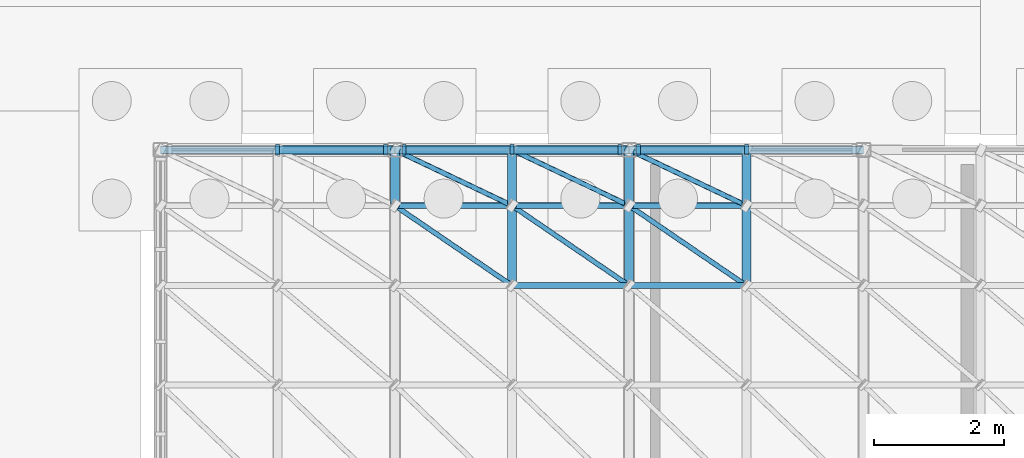
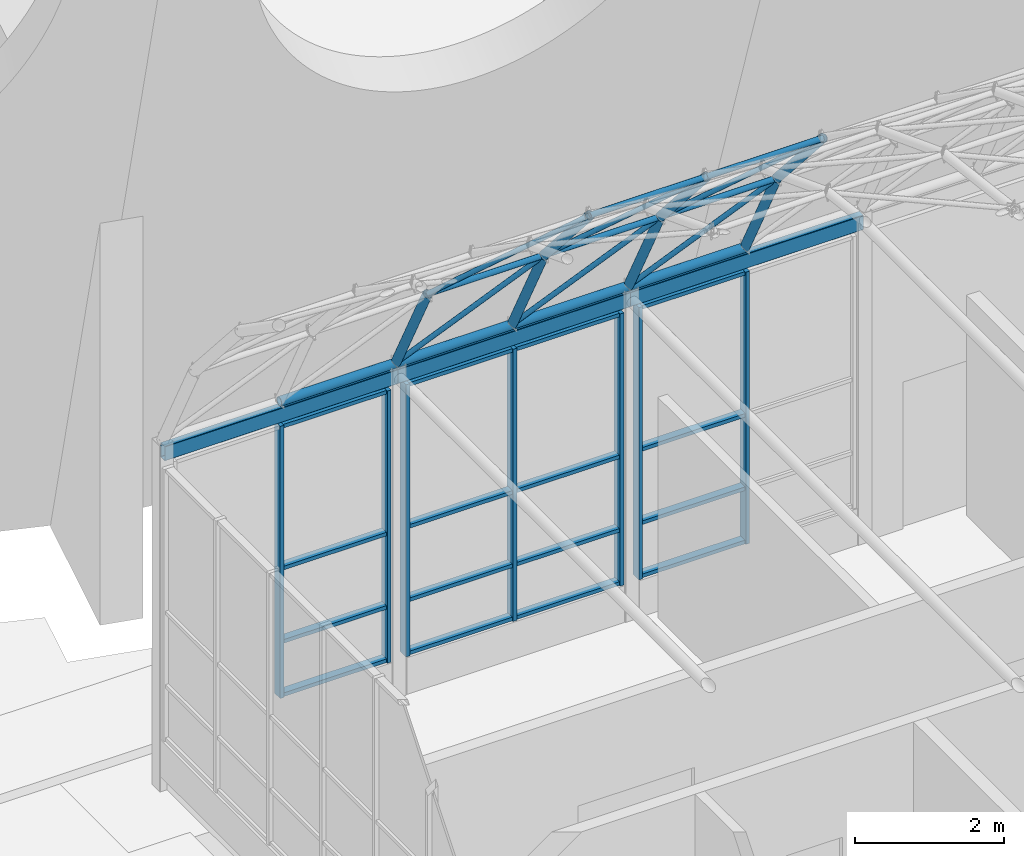
# One storey, part 27 of 116: 45 members, 3 beams, 3 elements without a shape of their own.
"""IFC4 building model written with IfcOpenShell, lengths in metres."""

import ifcopenshell
import ifcopenshell.guid

model = None  # the IFC model being written
_history = None  # IfcOwnerHistory: only IFC2X3 demands one
_inside = {}  # id of a spatial element -> (the spatial element, [elements in it])
_under = {}  # id of a project, library or spatial element -> (it, [spatial elements below it])
_declared = {}  # id of a project -> (the project, [libraries it declares])
_typed = {}  # id of a type object -> (the type object, [elements of that type])
_made_of = {}  # id of a material, layer set ... -> (it, [elements and type objects made of it])


def new_model(schema):
    """Start an empty IFC model of exactly this schema.

    Asked for "IFC4X3", IfcOpenShell would pick the latest addendum, in which some entities
    have other attributes; the version numbers below select the first issue.
    IFC2X3 requires an IfcOwnerHistory on every rooted entity: one is made here for all.
    """
    global model, _history
    if schema == "IFC4X3":
        model = ifcopenshell.file(schema_version=(4, 3, 0, 0))
    else:
        model = ifcopenshell.file(schema=schema)
    _inside.clear()
    _under.clear()
    _declared.clear()
    _typed.clear()
    _made_of.clear()
    _history = None
    if model.schema == "IFC2X3":
        org = make("IfcOrganization", Name="unknown")
        user = make(
            "IfcPersonAndOrganization",
            ThePerson=make("IfcPerson", FamilyName="unknown"),
            TheOrganization=org,
        )
        app = make(
            "IfcApplication",
            ApplicationDeveloper=org,
            Version="unknown",
            ApplicationFullName="unknown",
            ApplicationIdentifier="unknown",
        )
        _history = make(
            "IfcOwnerHistory",
            OwningUser=user,
            OwningApplication=app,
            ChangeAction="ADDED",
            CreationDate=0,
        )
    return model


def make(cls, **values):
    """One entity of the class cls with the attributes given. An attribute that is None is left unset."""
    return model.create_entity(
        cls, **{name: value for name, value in values.items() if value is not None}
    )


def rooted(cls, **values):
    """An entity with a GlobalId (a new one), such as an element, a storey or a relation."""
    return make(cls, GlobalId=ifcopenshell.guid.new(), OwnerHistory=_history, **values)


def si_unit(unit_type, name, prefix=None):
    """IfcSIUnit, for example si_unit("LENGTHUNIT", "METRE", prefix="MILLI")."""
    return make("IfcSIUnit", UnitType=unit_type, Prefix=prefix, Name=name)


def assignment(units):
    """IfcUnitAssignment: the units of a project."""
    return None if units is None else make("IfcUnitAssignment", Units=units)


def point(xyz):
    """IfcCartesianPoint."""
    return None if xyz is None else make("IfcCartesianPoint", Coordinates=xyz)


def direction(xyz):
    """IfcDirection."""
    return None if xyz is None else make("IfcDirection", DirectionRatios=xyz)


def frame(location, z_axis=None, x_axis=None):
    """IfcAxis2Placement3D, a coordinate frame: its origin and axes. An axis left out is left unset."""
    return make(
        "IfcAxis2Placement3D",
        Location=point(location),
        Axis=direction(z_axis),
        RefDirection=direction(x_axis),
    )


def frame_2d(location, x_axis=None):
    """IfcAxis2Placement2D, a coordinate frame in the plane: its origin and x axis."""
    return make(
        "IfcAxis2Placement2D", Location=point(location), RefDirection=direction(x_axis)
    )


def origin():
    """The frame at (0, 0, 0) with its axes left unset."""
    return frame((0.0, 0.0, 0.0))


def origin_2d():
    """The frame at (0, 0) in the plane with its x axis left unset."""
    return frame_2d((0.0, 0.0))


def place(relative_to, where):
    """IfcLocalPlacement: puts the frame where relative to a parent placement (None: the world)."""
    return make(
        "IfcLocalPlacement", PlacementRelTo=relative_to, RelativePlacement=where
    )


def context(
    kind, dimensions, precision=None, world=None, true_north=None, identifier=None
):
    """IfcGeometricRepresentationContext, for example the 3D "Model" context."""
    return make(
        "IfcGeometricRepresentationContext",
        ContextIdentifier=identifier,
        ContextType=kind,
        CoordinateSpaceDimension=dimensions,
        Precision=precision,
        WorldCoordinateSystem=world,
        TrueNorth=true_north,
    )


def subcontext(parent, identifier, kind, view, scale=None):
    """IfcGeometricRepresentationSubContext, for example "Body" below "Model"."""
    return make(
        "IfcGeometricRepresentationSubContext",
        ContextIdentifier=identifier,
        ContextType=kind,
        ParentContext=parent,
        TargetScale=scale,
        TargetView=view,
    )


def project(units=None, contexts=None):
    """IfcProject with its units and contexts."""
    return rooted(
        "IfcProject",
        Name="project",
        RepresentationContexts=contexts,
        UnitsInContext=assignment(units),
    )


def spatial(cls, under=None, at=None, **own):
    """A site, building, storey or space (cls), placed at a placement, below another one or the project."""
    s = rooted(cls, ObjectPlacement=at, **own)
    if under is not None:
        _under.setdefault(under.id(), (under, []))[1].append(s)
    return s


def profile(cls, at=None, kind="AREA", **sizes):
    """A parametric profile (cls). Its sizes go by their IFC names, for example OverallWidth=200.0."""
    return make(cls, ProfileType=kind, Position=at, **sizes)


def rectangle(**sizes):
    """IfcRectangleProfileDef."""
    return profile("IfcRectangleProfileDef", **sizes)


def hollow_rectangle(**sizes):
    """IfcRectangleHollowProfileDef."""
    return profile("IfcRectangleHollowProfileDef", **sizes)


def hollow_circle(**sizes):
    """IfcCircleHollowProfileDef."""
    return profile("IfcCircleHollowProfileDef", **sizes)


def extrude(swept, where, along, depth):
    """IfcExtrudedAreaSolid: the profile swept, set in the frame where, extruded along a direction by depth."""
    return make(
        "IfcExtrudedAreaSolid",
        SweptArea=swept,
        Position=where,
        ExtrudedDirection=direction(along),
        Depth=depth,
    )


def shape(context_of_items, identifier, shape_type, items):
    """IfcShapeRepresentation: the items that make up one representation, for example the "Body"."""
    return make(
        "IfcShapeRepresentation",
        ContextOfItems=context_of_items,
        RepresentationIdentifier=identifier,
        RepresentationType=shape_type,
        Items=items,
    )


def material(Name=None, Category=None):
    """IfcMaterial."""
    return make("IfcMaterial", Name=Name, Category=Category)


def layer(
    of_material, thickness, ventilated=None, Name=None, Category=None, Priority=None
):
    """IfcMaterialLayer: one layer of a wall or slab, of a material (None: an air gap)."""
    return make(
        "IfcMaterialLayer",
        Material=of_material,
        LayerThickness=thickness,
        IsVentilated=ventilated,
        Name=Name,
        Category=Category,
        Priority=Priority,
    )


def layer_set(layers, Name=None):
    """IfcMaterialLayerSet."""
    return make("IfcMaterialLayerSet", MaterialLayers=layers, LayerSetName=Name)


def material_profile(
    of_material, cross_section, Name=None, Category=None, Priority=None
):
    """IfcMaterialProfile: a cross section and its material."""
    return make(
        "IfcMaterialProfile",
        Name=Name,
        Material=of_material,
        Profile=cross_section,
        Priority=Priority,
        Category=Category,
    )


def profile_set(profiles, Name=None, composite=None):
    """IfcMaterialProfileSet."""
    return make(
        "IfcMaterialProfileSet",
        Name=Name,
        MaterialProfiles=profiles,
        CompositeProfile=composite,
    )


def made_of(thing, what):
    """Note that an element or type object is made of a material, layer set ...; save() writes the relation."""
    if what is not None:
        _made_of.setdefault(what.id(), (what, []))[1].append(thing)
    return thing


def type_object(cls, material=None, **own):
    """A type object (cls), such as IfcWallType, which elements share."""
    return made_of(rooted(cls, **own), material)


def element(
    cls,
    number,
    at=None,
    inside=None,
    cuts=None,
    type_object=None,
    material=None,
    context=None,
    identifier="Body",
    shape_type=None,
    held_by="IfcProductDefinitionShape",
    body=None,
    shapes=None,
    **own,
):
    """One element of the class cls, such as IfcWall. Its Tag is "e" and its number.

    at: its placement. inside: the storey or other place that contains it. cuts: it is an
    opening in that element (IfcRelVoidsElement). A single representation is given by context,
    identifier, shape_type and body (its items); several are given by shapes. held_by: the class
    of the entity that holds the representations. save() writes the other relations.
    """
    e = rooted(cls, Tag="e%d" % number, ObjectPlacement=at, **own)
    if body is not None:
        shapes = [shape(context, identifier, shape_type, body)]
    if shapes is not None:
        e.Representation = make(held_by, Representations=shapes)
    if inside is not None:
        _inside.setdefault(inside.id(), (inside, []))[1].append(e)
    if cuts is not None:
        rooted(
            "IfcRelVoidsElement", RelatingBuildingElement=cuts, RelatedOpeningElement=e
        )
    if type_object is not None:
        _typed.setdefault(type_object.id(), (type_object, []))[1].append(e)
    return made_of(e, material)


def aggregate(whole, parts):
    """IfcRelAggregates: a whole, such as a stair, and the parts it consists of."""
    return rooted("IfcRelAggregates", RelatingObject=whole, RelatedObjects=parts)


def save(model, path):
    """Write the relations noted so far, then the file.

    IfcRelAggregates (storeys below a building ...), IfcRelContainedInSpatialStructure (elements
    in a storey), IfcRelDefinesByType, IfcRelAssociatesMaterial and IfcRelDeclares: one each for
    every whole, place, type object, material and project.
    """
    for whole, parts in _under.values():
        aggregate(whole, parts)
    for where, things in _inside.values():
        rooted(
            "IfcRelContainedInSpatialStructure",
            RelatedElements=things,
            RelatingStructure=where,
        )
    for kind, things in _typed.values():
        rooted("IfcRelDefinesByType", RelatedObjects=things, RelatingType=kind)
    for what, things in _made_of.values():
        rooted("IfcRelAssociatesMaterial", RelatedObjects=things, RelatingMaterial=what)
    for by, libraries in _declared.values():
        rooted("IfcRelDeclares", RelatingContext=by, RelatedDefinitions=libraries)
    model.write(path)


model = new_model("IFC4")

# Units and contexts
model_context = context("Model", 3, precision=1e-05, world=origin(), true_north=direction((0.0, 1.0)))
body_context = subcontext(model_context, "Body", "Model", "MODEL_VIEW")
ifc_project = project(units=[si_unit("LENGTHUNIT", "METRE"), si_unit("AREAUNIT", "SQUARE_METRE"), si_unit("VOLUMEUNIT", "CUBIC_METRE"), si_unit("PLANEANGLEUNIT", "RADIAN"), si_unit("MASSUNIT", "GRAM", prefix="KILO")], contexts=[model_context])

# Site, building, storey
site_placement = place(None, origin())
site = spatial("IfcSite", under=ifc_project, at=site_placement, CompositionType="ELEMENT")
building_placement = place(site_placement, origin())
building = spatial("IfcBuilding", under=site, at=building_placement, Name="Ardhachandra Cancer Care Centre", CompositionType="ELEMENT")
storey_placement = place(building_placement, origin())
storey = spatial("IfcBuildingStorey", under=building, at=storey_placement, Name="L00", CompositionType="ELEMENT", Elevation=0.0)

# Beams
ifc_material_1 = material(Name="Steel E350 (IS 2062)", Category="steel")
ifc_material_profile_1 = material_profile(ifc_material_1, hollow_rectangle(XDim=0.1201171875, YDim=0.239990234375, WallThickness=0.006103515625, InnerFilletRadius=0.006103515625, OuterFilletRadius=0.011962890625, at=origin_2d()), Name="RHS 240x120x6.0")
ifc_profile_set_1 = profile_set([ifc_material_profile_1], Name="Steel E350 (IS 2062)")
beam_type = type_object("IfcBeamType", Name="Beam RHS 240x120x6.0", PredefinedType="BEAM", material=ifc_profile_set_1)
beam_1_placement = place(storey_placement, frame((63.60009765625, 21.60009765625, 5.210205078125), z_axis=(1.0, 0.0, 0.0), x_axis=(0.0, 1.0, 0.0)))
element("IfcBeam", 1, at=beam_1_placement, inside=storey, type_object=beam_type, Name="Pavilion edge beam N1-2", PredefinedType="BEAM", context=body_context, shape_type="SweptSolid", body=[
    extrude(hollow_rectangle(XDim=0.1201171875, YDim=0.239990234375, WallThickness=0.006103515625, InnerFilletRadius=0.006103515625, OuterFilletRadius=0.011962890625, at=origin_2d()), origin(), (0.0, 0.0, 1.0), 3.599853515625),
])
beam_2_placement = place(storey_placement, frame((67.199951171875, 21.60009765625, 5.210205078125), z_axis=(1.0, 0.0, 0.0), x_axis=(0.0, 1.0, 0.0)))
element("IfcBeam", 2, at=beam_2_placement, inside=storey, type_object=beam_type, Name="Pavilion edge beam N2-3", PredefinedType="BEAM", context=body_context, shape_type="SweptSolid", body=[
    extrude(hollow_rectangle(XDim=0.1201171875, YDim=0.239990234375, WallThickness=0.006103515625, InnerFilletRadius=0.006103515625, OuterFilletRadius=0.011962890625, at=origin_2d()), origin(), (0.0, 0.0, 1.0), 3.60009765625),
])
beam_3_placement = place(storey_placement, frame((70.800048828125, 21.60009765625, 5.210205078125), z_axis=(1.0, 0.0, 0.0), x_axis=(0.0, 1.0, 0.0)))
element("IfcBeam", 3, at=beam_3_placement, inside=storey, type_object=beam_type, Name="Pavilion edge beam N3-4", PredefinedType="BEAM", context=body_context, shape_type="SweptSolid", body=[
    extrude(hollow_rectangle(XDim=0.1201171875, YDim=0.239990234375, WallThickness=0.006103515625, InnerFilletRadius=0.006103515625, OuterFilletRadius=0.011962890625, at=origin_2d()), origin(), (0.0, 0.0, 1.0), 3.599853515625),
])

# Curtain wall, members
ifc_material_2 = material(Name="Aluminium extrusion", Category="aluminium")
ifc_layer = layer(ifc_material_2, 0.14990234375)
ifc_layer_set = layer_set([ifc_layer], Name="Aluminium extrusion")
curtain_wall_type = type_object("IfcCurtainWallType", Name="Curtain wall run", PredefinedType="NOTDEFINED", material=ifc_layer_set)
curtain_wall_1_placement = place(storey_placement, origin())
curtain_wall_1 = element("IfcCurtainWall", 4, at=curtain_wall_1_placement, inside=storey, type_object=curtain_wall_type, Name="Curtain wall L00 n/0063600_0021600", PredefinedType="NOTDEFINED")
ifc_material_3 = material(Name="Aluminium extrusion", Category="aluminium")
ifc_material_profile_2 = material_profile(ifc_material_3, rectangle(XDim=0.159912109375, YDim=0.06005859375, at=origin_2d()), Name="Curtain wall mullion 60 x 160")
ifc_profile_set_2 = profile_set([ifc_material_profile_2], Name="Aluminium extrusion")
member_type_1 = type_object("IfcMemberType", Name="Curtain wall mullion 60 x 160", PredefinedType="MULLION", material=ifc_profile_set_2)
member_1_placement = place(storey_placement, frame((65.39990234375, 21.60009765625, 0.60009765625), z_axis=(0.0, 0.0, 1.0), x_axis=(0.0, 1.0, 0.0)))
member_1 = element("IfcMember", 5, at=member_1_placement, type_object=member_type_1, Name="CW mullion 2", PredefinedType="MULLION", context=body_context, shape_type="SweptSolid", body=[
    extrude(rectangle(XDim=0.159912109375, YDim=0.06005859375, at=origin_2d()), origin(), (0.0, 0.0, 1.0), 4.449951171875),
])
member_2_placement = place(storey_placement, frame((67.054931640625, 21.60009765625, 0.60009765625), z_axis=(0.0, 0.0, 1.0), x_axis=(0.0, 1.0, 0.0)))
member_2 = element("IfcMember", 6, at=member_2_placement, type_object=member_type_1, Name="CW mullion 3", PredefinedType="MULLION", context=body_context, shape_type="SweptSolid", body=[
    extrude(rectangle(XDim=0.159912109375, YDim=0.06005859375, at=origin_2d()), origin(), (0.0, 0.0, 1.0), 4.449951171875),
])

curtain_wall_2_placement = place(storey_placement, origin())
curtain_wall_2 = element("IfcCurtainWall", 7, at=curtain_wall_2_placement, inside=storey, type_object=curtain_wall_type, Name="Curtain wall L00 n/0067200_0021600", PredefinedType="NOTDEFINED")
member_3_placement = place(storey_placement, frame((67.344970703125, 21.60009765625, 0.60009765625), z_axis=(0.0, 0.0, 1.0), x_axis=(0.0, 1.0, 0.0)))
member_3 = element("IfcMember", 8, at=member_3_placement, type_object=member_type_1, Name="CW mullion 1", PredefinedType="MULLION", context=body_context, shape_type="SweptSolid", body=[
    extrude(rectangle(XDim=0.159912109375, YDim=0.06005859375, at=origin_2d()), origin(), (0.0, 0.0, 1.0), 4.449951171875),
])
member_4_placement = place(storey_placement, frame((69.0, 21.60009765625, 0.60009765625), z_axis=(0.0, 0.0, 1.0), x_axis=(0.0, 1.0, 0.0)))
member_4 = element("IfcMember", 9, at=member_4_placement, type_object=member_type_1, Name="CW mullion 2", PredefinedType="MULLION", context=body_context, shape_type="SweptSolid", body=[
    extrude(rectangle(XDim=0.159912109375, YDim=0.06005859375, at=origin_2d()), origin(), (0.0, 0.0, 1.0), 4.449951171875),
])
member_5_placement = place(storey_placement, frame((70.655029296875, 21.60009765625, 0.60009765625), z_axis=(0.0, 0.0, 1.0), x_axis=(0.0, 1.0, 0.0)))
member_5 = element("IfcMember", 10, at=member_5_placement, type_object=member_type_1, Name="CW mullion 3", PredefinedType="MULLION", context=body_context, shape_type="SweptSolid", body=[
    extrude(rectangle(XDim=0.159912109375, YDim=0.06005859375, at=origin_2d()), origin(), (0.0, 0.0, 1.0), 4.449951171875),
])

curtain_wall_3_placement = place(storey_placement, origin())
curtain_wall_3 = element("IfcCurtainWall", 11, at=curtain_wall_3_placement, inside=storey, type_object=curtain_wall_type, Name="Curtain wall L00 n/0070800_0021600", PredefinedType="NOTDEFINED")
member_6_placement = place(storey_placement, frame((70.945068359375, 21.60009765625, 0.60009765625), z_axis=(0.0, 0.0, 1.0), x_axis=(0.0, 1.0, 0.0)))
member_6 = element("IfcMember", 12, at=member_6_placement, type_object=member_type_1, Name="CW mullion 1", PredefinedType="MULLION", context=body_context, shape_type="SweptSolid", body=[
    extrude(rectangle(XDim=0.159912109375, YDim=0.06005859375, at=origin_2d()), origin(), (0.0, 0.0, 1.0), 4.449951171875),
])
member_7_placement = place(storey_placement, frame((72.60009765625, 21.60009765625, 0.60009765625), z_axis=(0.0, 0.0, 1.0), x_axis=(0.0, 1.0, 0.0)))
member_7 = element("IfcMember", 13, at=member_7_placement, type_object=member_type_1, Name="CW mullion 2", PredefinedType="MULLION", context=body_context, shape_type="SweptSolid", body=[
    extrude(rectangle(XDim=0.159912109375, YDim=0.06005859375, at=origin_2d()), origin(), (0.0, 0.0, 1.0), 4.449951171875),
])

# Member
ifc_material_4 = material(Name="Aluminium extrusion", Category="aluminium")
ifc_material_profile_3 = material_profile(ifc_material_4, rectangle(XDim=0.1201171875, YDim=0.06005859375, at=origin_2d()), Name="Curtain wall transom 60 x 120")
ifc_profile_set_3 = profile_set([ifc_material_profile_3], Name="Aluminium extrusion")
member_type_2 = type_object("IfcMemberType", Name="Curtain wall transom 60 x 120", PredefinedType="USERDEFINED", material=ifc_profile_set_3)
member_8_placement = place(storey_placement, frame((65.429931640625, 21.60009765625, 0.6298828125), z_axis=(1.0, 0.0, 0.0), x_axis=(0.0, 1.0, 0.0)))
member_8 = element("IfcMember", 14, at=member_8_placement, type_object=member_type_2, Name="CW transom 2.1", ObjectType="TRANSOM", PredefinedType="USERDEFINED", context=body_context, shape_type="SweptSolid", body=[
    extrude(rectangle(XDim=0.1201171875, YDim=0.06005859375, at=origin_2d()), origin(), (0.0, 0.0, 1.0), 1.594970703125),
])

member_9_placement = place(storey_placement, frame((65.429931640625, 21.60009765625, 1.5), z_axis=(1.0, 0.0, 0.0), x_axis=(0.0, 1.0, 0.0)))
member_9 = element("IfcMember", 15, at=member_9_placement, type_object=member_type_2, Name="CW transom 2.2", ObjectType="TRANSOM", PredefinedType="USERDEFINED", context=body_context, shape_type="SweptSolid", body=[
    extrude(rectangle(XDim=0.1201171875, YDim=0.06005859375, at=origin_2d()), origin(), (0.0, 0.0, 1.0), 1.594970703125),
])

member_10_placement = place(storey_placement, frame((65.429931640625, 21.60009765625, 2.699951171875), z_axis=(1.0, 0.0, 0.0), x_axis=(0.0, 1.0, 0.0)))
member_10 = element("IfcMember", 16, at=member_10_placement, type_object=member_type_2, Name="CW transom 2.3", ObjectType="TRANSOM", PredefinedType="USERDEFINED", context=body_context, shape_type="SweptSolid", body=[
    extrude(rectangle(XDim=0.1201171875, YDim=0.06005859375, at=origin_2d()), origin(), (0.0, 0.0, 1.0), 1.594970703125),
])

member_11_placement = place(storey_placement, frame((65.429931640625, 21.60009765625, 5.02001953125), z_axis=(1.0, 0.0, 0.0), x_axis=(0.0, 1.0, 0.0)))
member_11 = element("IfcMember", 17, at=member_11_placement, type_object=member_type_2, Name="CW transom 2.4", ObjectType="TRANSOM", PredefinedType="USERDEFINED", context=body_context, shape_type="SweptSolid", body=[
    extrude(rectangle(XDim=0.1201171875, YDim=0.06005859375, at=origin_2d()), origin(), (0.0, 0.0, 1.0), 1.594970703125),
])

aggregate(curtain_wall_1, [member_1, member_2, member_8, member_9, member_10, member_11])

member_12_placement = place(storey_placement, frame((67.375, 21.60009765625, 0.6298828125), z_axis=(1.0, 0.0, 0.0), x_axis=(0.0, 1.0, 0.0)))
member_12 = element("IfcMember", 18, at=member_12_placement, type_object=member_type_2, Name="CW transom 1.1", ObjectType="TRANSOM", PredefinedType="USERDEFINED", context=body_context, shape_type="SweptSolid", body=[
    extrude(rectangle(XDim=0.1201171875, YDim=0.06005859375, at=origin_2d()), origin(), (0.0, 0.0, 1.0), 1.594970703125),
])

member_13_placement = place(storey_placement, frame((67.375, 21.60009765625, 1.5), z_axis=(1.0, 0.0, 0.0), x_axis=(0.0, 1.0, 0.0)))
member_13 = element("IfcMember", 19, at=member_13_placement, type_object=member_type_2, Name="CW transom 1.2", ObjectType="TRANSOM", PredefinedType="USERDEFINED", context=body_context, shape_type="SweptSolid", body=[
    extrude(rectangle(XDim=0.1201171875, YDim=0.06005859375, at=origin_2d()), origin(), (0.0, 0.0, 1.0), 1.594970703125),
])

member_14_placement = place(storey_placement, frame((67.375, 21.60009765625, 2.699951171875), z_axis=(1.0, 0.0, 0.0), x_axis=(0.0, 1.0, 0.0)))
member_14 = element("IfcMember", 20, at=member_14_placement, type_object=member_type_2, Name="CW transom 1.3", ObjectType="TRANSOM", PredefinedType="USERDEFINED", context=body_context, shape_type="SweptSolid", body=[
    extrude(rectangle(XDim=0.1201171875, YDim=0.06005859375, at=origin_2d()), origin(), (0.0, 0.0, 1.0), 1.594970703125),
])

member_15_placement = place(storey_placement, frame((67.375, 21.60009765625, 5.02001953125), z_axis=(1.0, 0.0, 0.0), x_axis=(0.0, 1.0, 0.0)))
member_15 = element("IfcMember", 21, at=member_15_placement, type_object=member_type_2, Name="CW transom 1.4", ObjectType="TRANSOM", PredefinedType="USERDEFINED", context=body_context, shape_type="SweptSolid", body=[
    extrude(rectangle(XDim=0.1201171875, YDim=0.06005859375, at=origin_2d()), origin(), (0.0, 0.0, 1.0), 1.594970703125),
])

member_16_placement = place(storey_placement, frame((69.030029296875, 21.60009765625, 0.6298828125), z_axis=(1.0, 0.0, 0.0), x_axis=(0.0, 1.0, 0.0)))
member_16 = element("IfcMember", 22, at=member_16_placement, type_object=member_type_2, Name="CW transom 2.1", ObjectType="TRANSOM", PredefinedType="USERDEFINED", context=body_context, shape_type="SweptSolid", body=[
    extrude(rectangle(XDim=0.1201171875, YDim=0.06005859375, at=origin_2d()), origin(), (0.0, 0.0, 1.0), 1.594970703125),
])

member_17_placement = place(storey_placement, frame((69.030029296875, 21.60009765625, 1.5), z_axis=(1.0, 0.0, 0.0), x_axis=(0.0, 1.0, 0.0)))
member_17 = element("IfcMember", 23, at=member_17_placement, type_object=member_type_2, Name="CW transom 2.2", ObjectType="TRANSOM", PredefinedType="USERDEFINED", context=body_context, shape_type="SweptSolid", body=[
    extrude(rectangle(XDim=0.1201171875, YDim=0.06005859375, at=origin_2d()), origin(), (0.0, 0.0, 1.0), 1.594970703125),
])

member_18_placement = place(storey_placement, frame((69.030029296875, 21.60009765625, 2.699951171875), z_axis=(1.0, 0.0, 0.0), x_axis=(0.0, 1.0, 0.0)))
member_18 = element("IfcMember", 24, at=member_18_placement, type_object=member_type_2, Name="CW transom 2.3", ObjectType="TRANSOM", PredefinedType="USERDEFINED", context=body_context, shape_type="SweptSolid", body=[
    extrude(rectangle(XDim=0.1201171875, YDim=0.06005859375, at=origin_2d()), origin(), (0.0, 0.0, 1.0), 1.594970703125),
])

member_19_placement = place(storey_placement, frame((69.030029296875, 21.60009765625, 5.02001953125), z_axis=(1.0, 0.0, 0.0), x_axis=(0.0, 1.0, 0.0)))
member_19 = element("IfcMember", 25, at=member_19_placement, type_object=member_type_2, Name="CW transom 2.4", ObjectType="TRANSOM", PredefinedType="USERDEFINED", context=body_context, shape_type="SweptSolid", body=[
    extrude(rectangle(XDim=0.1201171875, YDim=0.06005859375, at=origin_2d()), origin(), (0.0, 0.0, 1.0), 1.594970703125),
])

aggregate(curtain_wall_2, [member_3, member_4, member_5, member_12, member_13, member_14, member_15, member_16, member_17, member_18, member_19])

member_20_placement = place(storey_placement, frame((70.97509765625, 21.60009765625, 0.6298828125), z_axis=(1.0, 0.0, 0.0), x_axis=(0.0, 1.0, 0.0)))
member_20 = element("IfcMember", 26, at=member_20_placement, type_object=member_type_2, Name="CW transom 1.1", ObjectType="TRANSOM", PredefinedType="USERDEFINED", context=body_context, shape_type="SweptSolid", body=[
    extrude(rectangle(XDim=0.1201171875, YDim=0.06005859375, at=origin_2d()), origin(), (0.0, 0.0, 1.0), 1.594970703125),
])

member_21_placement = place(storey_placement, frame((70.97509765625, 21.60009765625, 1.5), z_axis=(1.0, 0.0, 0.0), x_axis=(0.0, 1.0, 0.0)))
member_21 = element("IfcMember", 27, at=member_21_placement, type_object=member_type_2, Name="CW transom 1.2", ObjectType="TRANSOM", PredefinedType="USERDEFINED", context=body_context, shape_type="SweptSolid", body=[
    extrude(rectangle(XDim=0.1201171875, YDim=0.06005859375, at=origin_2d()), origin(), (0.0, 0.0, 1.0), 1.594970703125),
])

member_22_placement = place(storey_placement, frame((70.97509765625, 21.60009765625, 2.699951171875), z_axis=(1.0, 0.0, 0.0), x_axis=(0.0, 1.0, 0.0)))
member_22 = element("IfcMember", 28, at=member_22_placement, type_object=member_type_2, Name="CW transom 1.3", ObjectType="TRANSOM", PredefinedType="USERDEFINED", context=body_context, shape_type="SweptSolid", body=[
    extrude(rectangle(XDim=0.1201171875, YDim=0.06005859375, at=origin_2d()), origin(), (0.0, 0.0, 1.0), 1.594970703125),
])

member_23_placement = place(storey_placement, frame((70.97509765625, 21.60009765625, 5.02001953125), z_axis=(1.0, 0.0, 0.0), x_axis=(0.0, 1.0, 0.0)))
member_23 = element("IfcMember", 29, at=member_23_placement, type_object=member_type_2, Name="CW transom 1.4", ObjectType="TRANSOM", PredefinedType="USERDEFINED", context=body_context, shape_type="SweptSolid", body=[
    extrude(rectangle(XDim=0.1201171875, YDim=0.06005859375, at=origin_2d()), origin(), (0.0, 0.0, 1.0), 1.594970703125),
])

aggregate(curtain_wall_3, [member_6, member_7, member_20, member_21, member_22, member_23])

# Members
ifc_material_5 = material(Name="Steel E350 (IS 2062)", Category="steel")
ifc_material_profile_4 = material_profile(ifc_material_5, hollow_circle(Radius=0.0380859375, WallThickness=0.00390625, at=origin_2d()), Name="CHS 76.1x4.0")
ifc_profile_set_4 = profile_set([ifc_material_profile_4], Name="Steel E350 (IS 2062)")
member_type_3 = type_object("IfcMemberType", Name="Pavilion shell Diagonal CHS 76.1x4.0", PredefinedType="BRACE", material=ifc_profile_set_4)
member_24_placement = place(storey_placement, frame((69.0, 19.514892578125, 8.4501953125), z_axis=(-0.695197085973, 0.474559464764, -0.539902144891), x_axis=(-0.563792083266, -0.825916755398, 0.0)))
element("IfcMember", 30, at=member_24_placement, inside=storey, type_object=member_type_3, Name="Pavilion shell diagonal 03-08", PredefinedType="BRACE", context=body_context, shape_type="SweptSolid", body=[
    extrude(hollow_circle(Radius=0.0380859375, WallThickness=0.00390625, at=origin_2d()), origin(), (0.0, 0.0, 1.0), 2.58935546875),
])
member_25_placement = place(storey_placement, frame((69.0, 20.74365234375, 7.05224609375), z_axis=(-0.695216484809, 0.330777082424, -0.638169696079), x_axis=(-0.429638804888, -0.903000829088, 0.0)))
element("IfcMember", 31, at=member_25_placement, inside=storey, type_object=member_type_3, Name="Pavilion shell diagonal 03-09", PredefinedType="BRACE", context=body_context, shape_type="SweptSolid", body=[
    extrude(hollow_circle(Radius=0.0380859375, WallThickness=0.00390625, at=origin_2d()), origin(), (0.0, 0.0, 1.0), 2.589111328125),
])
member_26_placement = place(storey_placement, frame((70.800048828125, 19.514892578125, 8.4501953125), z_axis=(-0.695197085973, 0.474559464764, -0.539902144891), x_axis=(-0.563792083266, -0.825916755398, 0.0)))
element("IfcMember", 32, at=member_26_placement, inside=storey, type_object=member_type_3, Name="Pavilion shell diagonal 04-08", PredefinedType="BRACE", context=body_context, shape_type="SweptSolid", body=[
    extrude(hollow_circle(Radius=0.0380859375, WallThickness=0.00390625, at=origin_2d()), origin(), (0.0, 0.0, 1.0), 2.58935546875),
])
member_27_placement = place(storey_placement, frame((70.800048828125, 20.74365234375, 7.05224609375), z_axis=(-0.695216484809, 0.330777082424, -0.638169696079), x_axis=(-0.429638804888, -0.903000829088, 0.0)))
element("IfcMember", 33, at=member_27_placement, inside=storey, type_object=member_type_3, Name="Pavilion shell diagonal 04-09", PredefinedType="BRACE", context=body_context, shape_type="SweptSolid", body=[
    extrude(hollow_circle(Radius=0.0380859375, WallThickness=0.00390625, at=origin_2d()), origin(), (0.0, 0.0, 1.0), 2.589111328125),
])
member_28_placement = place(storey_placement, frame((72.60009765625, 19.514892578125, 8.4501953125), z_axis=(-0.695197085973, 0.474559464764, -0.539902144891), x_axis=(-0.563792083266, -0.825916755398, 0.0)))
element("IfcMember", 34, at=member_28_placement, inside=storey, type_object=member_type_3, Name="Pavilion shell diagonal 05-08", PredefinedType="BRACE", context=body_context, shape_type="SweptSolid", body=[
    extrude(hollow_circle(Radius=0.0380859375, WallThickness=0.00390625, at=origin_2d()), origin(), (0.0, 0.0, 1.0), 2.58935546875),
])
member_29_placement = place(storey_placement, frame((72.60009765625, 20.74365234375, 7.05224609375), z_axis=(-0.695216484809, 0.330777082424, -0.638169696079), x_axis=(-0.429638804888, -0.903000829088, 0.0)))
element("IfcMember", 35, at=member_29_placement, inside=storey, type_object=member_type_3, Name="Pavilion shell diagonal 05-09", PredefinedType="BRACE", context=body_context, shape_type="SweptSolid", body=[
    extrude(hollow_circle(Radius=0.0380859375, WallThickness=0.00390625, at=origin_2d()), origin(), (0.0, 0.0, 1.0), 2.589111328125),
])
ifc_material_6 = material(Name="Steel E350 (IS 2062)", Category="steel")
ifc_material_profile_5 = material_profile(ifc_material_6, hollow_circle(Radius=0.06982421875, WallThickness=0.0048828125, at=origin_2d()), Name="CHS 139.7x5.0")
ifc_profile_set_5 = profile_set([ifc_material_profile_5], Name="Steel E350 (IS 2062)")
member_type_4 = type_object("IfcMemberType", Name="Pavilion shell Purlin CHS 139.7x5.0", PredefinedType="PURLIN", material=ifc_profile_set_5)
for number, where, z_axis, x_axis, name in (
    (36, (65.39990234375, 21.60009765625, 5.39990234375), (1.0, 0.0, 0.0), (0.0, 1.0, 0.0), "Pavilion shell purlin 01-10"),
    (37, (67.199951171875, 21.60009765625, 5.39990234375), (1.0, 0.0, 0.0), (0.0, 1.0, 0.0), "Pavilion shell purlin 02-10"),
    (38, (69.0, 21.60009765625, 5.39990234375), (1.0, 0.0, 0.0), (0.0, 1.0, 0.0), "Pavilion shell purlin 03-10"),
    (39, (70.800048828125, 21.60009765625, 5.39990234375), (1.0, 0.0, 0.0), (0.0, 1.0, 0.0), "Pavilion shell purlin 04-10"),
):
    element("IfcMember", number, at=place(storey_placement, frame(where, z_axis=z_axis, x_axis=x_axis)), inside=storey, type_object=member_type_4, Name=name, PredefinedType="PURLIN", context=body_context, shape_type="SweptSolid", body=[
        extrude(hollow_circle(Radius=0.06982421875, WallThickness=0.0048828125, at=origin_2d()), origin(), (0.0, 0.0, 1.0), 1.800048828125),
    ])
ifc_material_7 = material(Name="Steel E350 (IS 2062)", Category="steel")
ifc_material_profile_6 = material_profile(ifc_material_7, hollow_circle(Radius=0.04443359375, WallThickness=0.00390625, at=origin_2d()), Name="CHS 88.9x4.0")
ifc_profile_set_6 = profile_set([ifc_material_profile_6], Name="Steel E350 (IS 2062)")
member_type_5 = type_object("IfcMemberType", Name="Pavilion shell Purlin CHS 88.9x4.0", PredefinedType="PURLIN", material=ifc_profile_set_6)
for number, where, z_axis, x_axis, name in (
    (40, (69.0, 19.514892578125, 8.4501953125), (1.0, 0.0, 0.0), (0.0, 1.0, 0.0), "Pavilion shell purlin 03-08"),
    (41, (70.800048828125, 19.514892578125, 8.4501953125), (1.0, 0.0, 0.0), (0.0, 1.0, 0.0), "Pavilion shell purlin 04-08"),
    (42, (67.199951171875, 20.74365234375, 7.05224609375), (1.0, 0.0, 0.0), (0.0, 1.0, 0.0), "Pavilion shell purlin 02-09"),
    (43, (69.0, 20.74365234375, 7.05224609375), (1.0, 0.0, 0.0), (0.0, 1.0, 0.0), "Pavilion shell purlin 03-09"),
    (44, (70.800048828125, 20.74365234375, 7.05224609375), (1.0, 0.0, 0.0), (0.0, 1.0, 0.0), "Pavilion shell purlin 04-09"),
):
    element("IfcMember", number, at=place(storey_placement, frame(where, z_axis=z_axis, x_axis=x_axis)), inside=storey, type_object=member_type_5, Name=name, PredefinedType="PURLIN", context=body_context, shape_type="SweptSolid", body=[
        extrude(hollow_circle(Radius=0.04443359375, WallThickness=0.00390625, at=origin_2d()), origin(), (0.0, 0.0, 1.0), 1.800048828125),
    ])
ifc_material_8 = material(Name="Steel E350 (IS 2062)", Category="steel")
ifc_material_profile_7 = material_profile(ifc_material_8, hollow_circle(Radius=0.06982421875, WallThickness=0.0048828125, at=origin_2d()), Name="CHS 139.7x5.0")
ifc_profile_set_7 = profile_set([ifc_material_profile_7], Name="Steel E350 (IS 2062)")
member_type_6 = type_object("IfcMemberType", Name="Pavilion shell Rib CHS 139.7x5.0", PredefinedType="RAFTER", material=ifc_profile_set_7)
member_30_placement = place(storey_placement, frame((67.199951171875, 20.74365234375, 7.05224609375), z_axis=(0.0, 0.460179313582, -0.8878259961), x_axis=(-1.0, 0.0, 0.0)))
element("IfcMember", 45, at=member_30_placement, inside=storey, type_object=member_type_6, Name="Pavilion shell rib 02-09", PredefinedType="RAFTER", context=body_context, shape_type="SweptSolid", body=[
    extrude(hollow_circle(Radius=0.06982421875, WallThickness=0.0048828125, at=origin_2d()), origin(), (0.0, 0.0, 1.0), 1.861083984375),
])
member_31_placement = place(storey_placement, frame((69.0, 19.514892578125, 8.4501953125), z_axis=(0.0, 0.660193103956, -0.751095909647), x_axis=(-1.0, 0.0, 0.0)))
element("IfcMember", 46, at=member_31_placement, inside=storey, type_object=member_type_6, Name="Pavilion shell rib 03-08", PredefinedType="RAFTER", context=body_context, shape_type="SweptSolid", body=[
    extrude(hollow_circle(Radius=0.06982421875, WallThickness=0.0048828125, at=origin_2d()), origin(), (0.0, 0.0, 1.0), 1.861328125),
])
member_32_placement = place(storey_placement, frame((69.0, 20.74365234375, 7.05224609375), z_axis=(0.0, 0.460179313582, -0.8878259961), x_axis=(-1.0, 0.0, 0.0)))
element("IfcMember", 47, at=member_32_placement, inside=storey, type_object=member_type_6, Name="Pavilion shell rib 03-09", PredefinedType="RAFTER", context=body_context, shape_type="SweptSolid", body=[
    extrude(hollow_circle(Radius=0.06982421875, WallThickness=0.0048828125, at=origin_2d()), origin(), (0.0, 0.0, 1.0), 1.861083984375),
])
member_33_placement = place(storey_placement, frame((70.800048828125, 19.514892578125, 8.4501953125), z_axis=(0.0, 0.660193103956, -0.751095909647), x_axis=(-1.0, 0.0, 0.0)))
element("IfcMember", 48, at=member_33_placement, inside=storey, type_object=member_type_6, Name="Pavilion shell rib 04-08", PredefinedType="RAFTER", context=body_context, shape_type="SweptSolid", body=[
    extrude(hollow_circle(Radius=0.06982421875, WallThickness=0.0048828125, at=origin_2d()), origin(), (0.0, 0.0, 1.0), 1.861328125),
])
member_34_placement = place(storey_placement, frame((70.800048828125, 20.74365234375, 7.05224609375), z_axis=(0.0, 0.460179313582, -0.8878259961), x_axis=(-1.0, 0.0, 0.0)))
element("IfcMember", 49, at=member_34_placement, inside=storey, type_object=member_type_6, Name="Pavilion shell rib 04-09", PredefinedType="RAFTER", context=body_context, shape_type="SweptSolid", body=[
    extrude(hollow_circle(Radius=0.06982421875, WallThickness=0.0048828125, at=origin_2d()), origin(), (0.0, 0.0, 1.0), 1.861083984375),
])
member_35_placement = place(storey_placement, frame((72.60009765625, 19.514892578125, 8.4501953125), z_axis=(0.0, 0.660193103956, -0.751095909647), x_axis=(-1.0, 0.0, 0.0)))
element("IfcMember", 50, at=member_35_placement, inside=storey, type_object=member_type_6, Name="Pavilion shell rib 05-08", PredefinedType="RAFTER", context=body_context, shape_type="SweptSolid", body=[
    extrude(hollow_circle(Radius=0.06982421875, WallThickness=0.0048828125, at=origin_2d()), origin(), (0.0, 0.0, 1.0), 1.861328125),
])
member_36_placement = place(storey_placement, frame((72.60009765625, 20.74365234375, 7.05224609375), z_axis=(0.0, 0.460179313582, -0.8878259961), x_axis=(-1.0, 0.0, 0.0)))
element("IfcMember", 51, at=member_36_placement, inside=storey, type_object=member_type_6, Name="Pavilion shell rib 05-09", PredefinedType="RAFTER", context=body_context, shape_type="SweptSolid", body=[
    extrude(hollow_circle(Radius=0.06982421875, WallThickness=0.0048828125, at=origin_2d()), origin(), (0.0, 0.0, 1.0), 1.861083984375),
])

save(model, "model.ifc")
